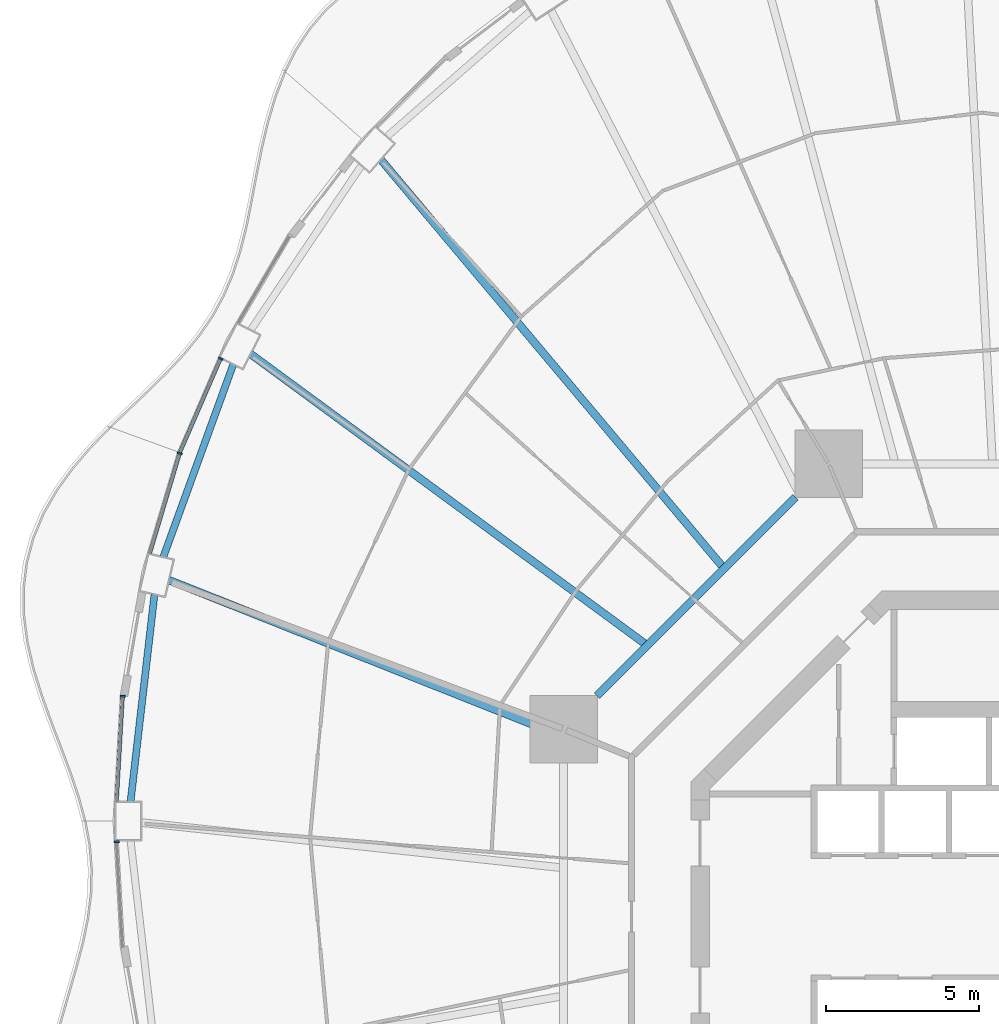
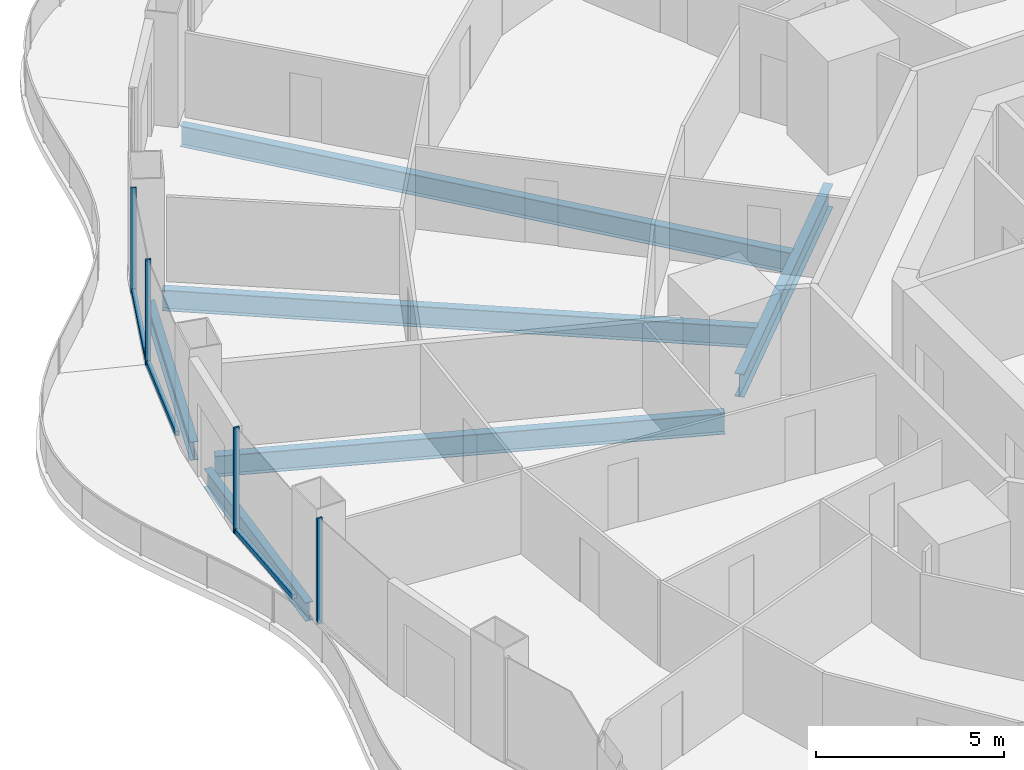
# One storey, part 7 of 22: 7 members, 6 beams, 4 elements without a shape of their own.
"""IFC4 building model written with IfcOpenShell, lengths in metres."""

from ifc_helpers import new_model, si_unit, direction, frame, origin, origin_2d, place, context, subcontext, project, spatial, rectangle, i_section, extrude, material, layer, layer_set, material_profile, profile_set, type_object, element, aggregate, save


model = new_model("IFC4")

# Units and contexts
model_context = context("Model", 3, precision=1e-05, world=origin(), true_north=direction((0.0, 1.0)))
body_context = subcontext(model_context, "Body", "Model", "MODEL_VIEW")
ifc_project = project(units=[si_unit("LENGTHUNIT", "METRE"), si_unit("AREAUNIT", "SQUARE_METRE"), si_unit("VOLUMEUNIT", "CUBIC_METRE"), si_unit("PLANEANGLEUNIT", "RADIAN"), si_unit("MASSUNIT", "GRAM", prefix="KILO")], contexts=[model_context])

# Site, building, storey
site_placement = place(None, origin())
site = spatial("IfcSite", under=ifc_project, at=site_placement, CompositionType="ELEMENT")
building_placement = place(site_placement, origin())
building = spatial("IfcBuilding", under=site, at=building_placement, Name="Nagisa Residences", CompositionType="ELEMENT")
storey_placement = place(building_placement, frame((0.0, 0.0, 80.699951171875)))
storey = spatial("IfcBuildingStorey", under=building, at=storey_placement, Name="L19", CompositionType="ELEMENT", Elevation=80.699951171875)

# Curtain wall, member
ifc_material_1 = material(Name="Concrete-coloured aluminium curtain wall system", Category="concrete")
ifc_layer = layer(ifc_material_1, 0.159912109375)
ifc_layer_set = layer_set([ifc_layer], Name="CW1 CURTAIN WALL")
curtain_wall_type = type_object("IfcCurtainWallType", Name="CW1 CURTAIN WALL", PredefinedType="NOTDEFINED", material=ifc_layer_set)
curtain_wall_1_placement = place(storey_placement, origin())
curtain_wall_1 = element("IfcCurtainWall", 1, at=curtain_wall_1_placement, inside=storey, type_object=curtain_wall_type, Name="cw:CW1:L19:20", PredefinedType="NOTDEFINED")
ifc_material_2 = material(Name="Concrete-coloured aluminium", Category="concrete")
ifc_material_profile_1 = material_profile(ifc_material_2, rectangle(XDim=0.159912109375, YDim=0.06005859375, at=origin_2d()), Name="CW1 MULLION 160x60")
ifc_profile_set_1 = profile_set([ifc_material_profile_1], Name="Concrete-coloured aluminium")
member_type_1 = type_object("IfcMemberType", Name="CW1 MULLION 160x60", PredefinedType="MULLION", material=ifc_profile_set_1)
member_1_placement = place(storey_placement, frame((-25.9814453125, 18.219482421875, 0.0), z_axis=(0.0, 0.0, 1.0), x_axis=(0.917543276295, -0.397635934147, 0.0)))
member_1 = element("IfcMember", 2, at=member_1_placement, type_object=member_type_1, Name="CW1 mullion", PredefinedType="MULLION", context=body_context, shape_type="SweptSolid", body=[
    extrude(rectangle(XDim=0.159912109375, YDim=0.06005859375, at=origin_2d()), origin(), (0.0, 0.0, 1.0), 3.43994140625),
])

curtain_wall_2_placement = place(storey_placement, origin())
curtain_wall_2 = element("IfcCurtainWall", 3, at=curtain_wall_2_placement, inside=storey, type_object=curtain_wall_type, Name="cw:CW1:L19:21", PredefinedType="NOTDEFINED")
member_2_placement = place(storey_placement, frame((-27.31884765625, 15.12646484375, 0.0), z_axis=(0.0, 0.0, 1.0), x_axis=(0.958271310082, -0.285860274038, 0.0)))
member_2 = element("IfcMember", 4, at=member_2_placement, type_object=member_type_1, Name="CW1 mullion", PredefinedType="MULLION", context=body_context, shape_type="SweptSolid", body=[
    extrude(rectangle(XDim=0.159912109375, YDim=0.06005859375, at=origin_2d()), origin(), (0.0, 0.0, 1.0), 3.43994140625),
])

curtain_wall_3_placement = place(storey_placement, origin())
curtain_wall_3 = element("IfcCurtainWall", 5, at=curtain_wall_3_placement, inside=storey, type_object=curtain_wall_type, Name="cw:CW1:L19:23", PredefinedType="NOTDEFINED")
member_3_placement = place(storey_placement, frame((-29.179931640625, 7.19677734375, 0.0), z_axis=(0.0, 0.0, 1.0), x_axis=(0.998345305184, -0.057503492216, 0.0)))
member_3 = element("IfcMember", 6, at=member_3_placement, type_object=member_type_1, Name="CW1 mullion", PredefinedType="MULLION", context=body_context, shape_type="SweptSolid", body=[
    extrude(rectangle(XDim=0.159912109375, YDim=0.06005859375, at=origin_2d()), origin(), (0.0, 0.0, 1.0), 3.43994140625),
])

curtain_wall_4_placement = place(storey_placement, origin())
curtain_wall_4 = element("IfcCurtainWall", 7, at=curtain_wall_4_placement, inside=storey, type_object=curtain_wall_type, Name="cw:CW1:L19:24", PredefinedType="NOTDEFINED")
member_4_placement = place(storey_placement, frame((-29.3759765625, 2.443359375, 0.0), z_axis=(0.0, 0.0, 1.0), x_axis=(0.998345305184, 0.057503492216, 0.0)))
member_4 = element("IfcMember", 8, at=member_4_placement, type_object=member_type_1, Name="CW1 mullion", PredefinedType="MULLION", context=body_context, shape_type="SweptSolid", body=[
    extrude(rectangle(XDim=0.159912109375, YDim=0.06005859375, at=origin_2d()), origin(), (0.0, 0.0, 1.0), 3.43994140625),
])
aggregate(curtain_wall_4, [member_4])

# Member
ifc_material_3 = material(Name="Concrete-coloured aluminium", Category="concrete")
ifc_material_profile_2 = material_profile(ifc_material_3, rectangle(XDim=0.1201171875, YDim=0.14990234375, at=origin_2d()), Name="CW1 TRANSOM 120x150")
ifc_profile_set_2 = profile_set([ifc_material_profile_2], Name="Concrete-coloured aluminium")
member_type_2 = type_object("IfcMemberType", Name="CW1 TRANSOM 120x150", PredefinedType="USERDEFINED", material=ifc_profile_set_2)
member_5_placement = place(storey_placement, frame((-25.9697265625, 18.2470703125, 0.074951171875), z_axis=(-0.397621629246, -0.917549475481, 0.0), x_axis=(0.917549475481, -0.397621629246, 0.0)))
member_5 = element("IfcMember", 9, at=member_5_placement, type_object=member_type_2, Name="CW1 transom", ObjectType="TRANSOM", PredefinedType="USERDEFINED", context=body_context, shape_type="SweptSolid", body=[
    extrude(rectangle(XDim=0.1201171875, YDim=0.14990234375, at=origin_2d()), origin(), (0.0, 0.0, 1.0), 3.37939453125),
])

aggregate(curtain_wall_1, [member_1, member_5])

member_6_placement = place(storey_placement, frame((-27.310302734375, 15.155029296875, 0.074951171875), z_axis=(-0.285816610469, -0.958284334203, 0.0), x_axis=(0.958284334203, -0.285816610469, 0.0)))
member_6 = element("IfcMember", 10, at=member_6_placement, type_object=member_type_2, Name="CW1 transom", ObjectType="TRANSOM", PredefinedType="USERDEFINED", context=body_context, shape_type="SweptSolid", body=[
    extrude(rectangle(XDim=0.1201171875, YDim=0.14990234375, at=origin_2d()), origin(), (0.0, 0.0, 1.0), 3.423583984375),
])

aggregate(curtain_wall_2, [member_2, member_6])

member_7_placement = place(storey_placement, frame((-29.17822265625, 7.2265625, 0.074951171875), z_axis=(-0.057476526179, -0.99834685803, 0.0), x_axis=(0.99834685803, -0.057476526179, 0.0)))
member_7 = element("IfcMember", 11, at=member_7_placement, type_object=member_type_2, Name="CW1 transom", ObjectType="TRANSOM", PredefinedType="USERDEFINED", context=body_context, shape_type="SweptSolid", body=[
    extrude(rectangle(XDim=0.1201171875, YDim=0.14990234375, at=origin_2d()), origin(), (0.0, 0.0, 1.0), 3.47021484375),
])

aggregate(curtain_wall_3, [member_3, member_7])

# Beams
ifc_material_4 = material(Name="Steel ASTM A572 Gr 50", Category="steel")
ifc_material_profile_3 = material_profile(ifc_material_4, i_section(OverallWidth=0.264892578125, OverallDepth=0.7529296875, WebThickness=0.01318359375, FlangeThickness=0.01708984375, at=origin_2d()), Name="W760x147")
ifc_profile_set_3 = profile_set([ifc_material_profile_3], Name="Steel ASTM A572 Gr 50")
beam_type_1 = type_object("IfcBeamType", Name="Inner ring beam W760x147", PredefinedType="BEAM", material=ifc_profile_set_3)
beam_1_placement = place(storey_placement, frame((-7.208740234375, 13.6962890625, -0.636474609375), z_axis=(-0.707106781187, -0.707106781187, 0.0), x_axis=(0.707106781187, -0.707106781187, 0.0)))
element("IfcBeam", 12, at=beam_1_placement, inside=storey, type_object=beam_type_1, Name="beam:L19:ib3", PredefinedType="BEAM", context=body_context, shape_type="SweptSolid", body=[
    extrude(i_section(OverallWidth=0.264892578125, OverallDepth=0.7529296875, WebThickness=0.01318359375, FlangeThickness=0.01708984375, at=origin_2d()), origin(), (0.0, 0.0, 1.0), 9.1748046875),
])
ifc_material_5 = material(Name="Steel ASTM A572 Gr 50", Category="steel")
ifc_material_profile_4 = material_profile(ifc_material_5, i_section(OverallWidth=0.22802734375, OverallDepth=0.60302734375, WebThickness=0.010498046875, FlangeThickness=0.014892578125, at=origin_2d()), Name="W610x101")
ifc_profile_set_4 = profile_set([ifc_material_profile_4], Name="Steel ASTM A572 Gr 50")
beam_type_2 = type_object("IfcBeamType", Name="Perimeter ring beam W610x101", PredefinedType="BEAM", material=ifc_profile_set_4)
beam_2_placement = place(storey_placement, frame((-25.568359375, 18.028564453125, -0.5615234375), z_axis=(-0.341365002286, -0.939930814057, 0.0), x_axis=(0.939930814057, -0.341365002286, 0.0)))
element("IfcBeam", 13, at=beam_2_placement, inside=storey, type_object=beam_type_2, Name="beam:L19:pb11", PredefinedType="BEAM", context=body_context, shape_type="SweptSolid", body=[
    extrude(i_section(OverallWidth=0.22802734375, OverallDepth=0.60302734375, WebThickness=0.010498046875, FlangeThickness=0.014892578125, at=origin_2d()), origin(), (0.0, 0.0, 1.0), 6.689208984375),
])
beam_3_placement = place(storey_placement, frame((-28.14111328125, 10.5146484375, -0.5615234375), z_axis=(-0.114690766503, -0.993401242237, 0.0), x_axis=(0.993401242237, -0.114690766503, 0.0)))
element("IfcBeam", 14, at=beam_3_placement, inside=storey, type_object=beam_type_2, Name="beam:L19:pb12", PredefinedType="BEAM", context=body_context, shape_type="SweptSolid", body=[
    extrude(i_section(OverallWidth=0.22802734375, OverallDepth=0.60302734375, WebThickness=0.010498046875, FlangeThickness=0.014892578125, at=origin_2d()), origin(), (0.0, 0.0, 1.0), 6.811767578125),
])
ifc_material_6 = material(Name="Steel ASTM A572 Gr 50", Category="steel")
ifc_material_profile_5 = material_profile(ifc_material_6, i_section(OverallWidth=0.2529296875, OverallDepth=0.677978515625, WebThickness=0.01171875, FlangeThickness=0.016357421875, at=origin_2d()), Name="W690x125")
ifc_profile_set_5 = profile_set([ifc_material_profile_5], Name="Steel ASTM A572 Gr 50")
beam_type_3 = type_object("IfcBeamType", Name="Radial beam W690x125", PredefinedType="BEAM", material=ifc_profile_set_5)
beam_4_placement = place(storey_placement, frame((-20.75, 24.71533203125, -0.598876953125), z_axis=(0.642994706096, -0.765870620884, 0.0), x_axis=(0.765870620884, 0.642994706096, 0.0)))
element("IfcBeam", 15, at=beam_4_placement, inside=storey, type_object=beam_type_3, Name="beam:L19:rb10", PredefinedType="BEAM", context=body_context, shape_type="SweptSolid", body=[
    extrude(i_section(OverallWidth=0.2529296875, OverallDepth=0.677978515625, WebThickness=0.01171875, FlangeThickness=0.016357421875, at=origin_2d()), origin(), (0.0, 0.0, 1.0), 17.319580078125),
])
beam_5_placement = place(storey_placement, frame((-25.0, 18.366943359375, -0.598876953125), z_axis=(0.805892392895, -0.59206203313, 0.0), x_axis=(0.59206203313, 0.805892392895, 0.0)))
element("IfcBeam", 16, at=beam_5_placement, inside=storey, type_object=beam_type_3, Name="beam:L19:rb11", PredefinedType="BEAM", context=body_context, shape_type="SweptSolid", body=[
    extrude(i_section(OverallWidth=0.2529296875, OverallDepth=0.677978515625, WebThickness=0.01171875, FlangeThickness=0.016357421875, at=origin_2d()), origin(), (0.0, 0.0, 1.0), 15.95361328125),
])
beam_6_placement = place(storey_placement, frame((-27.6640625, 10.984375, -0.598876953125), z_axis=(0.929418643834, -0.369027078267, 0.0), x_axis=(0.369027078267, 0.929418643834, 0.0)))
element("IfcBeam", 17, at=beam_6_placement, inside=storey, type_object=beam_type_3, Name="beam:L19:rb12", PredefinedType="BEAM", context=body_context, shape_type="SweptSolid", body=[
    extrude(i_section(OverallWidth=0.2529296875, OverallDepth=0.677978515625, WebThickness=0.01171875, FlangeThickness=0.016357421875, at=origin_2d()), origin(), (0.0, 0.0, 1.0), 13.73779296875),
])

save(model, "model.ifc")
